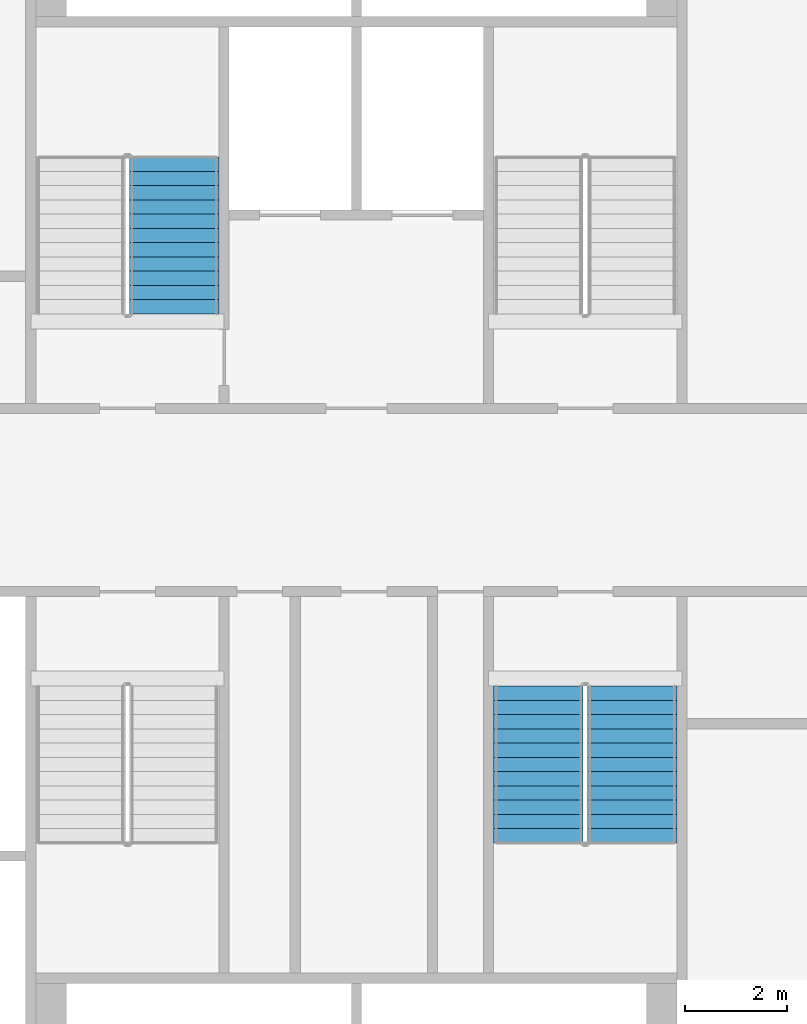
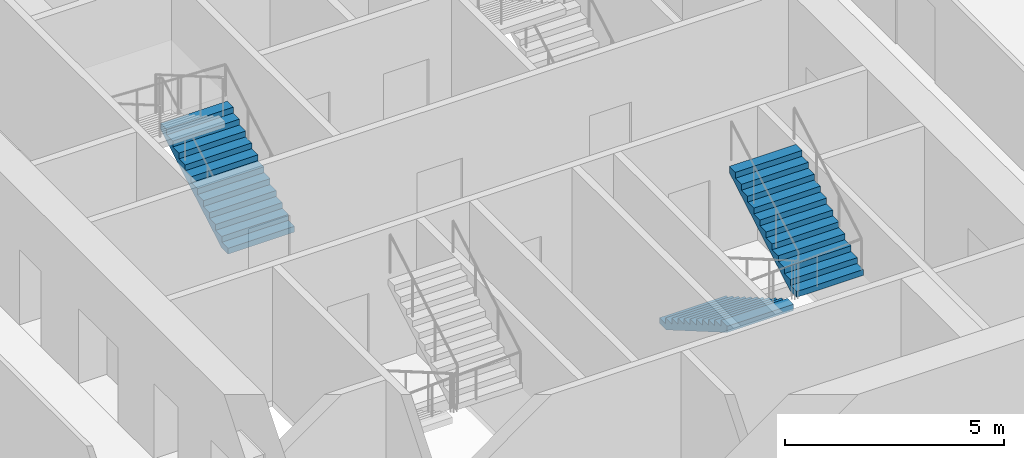
# One storey, part 10 of 17: 3 stair flights, 2 elements without a shape of their own.
"""IFC4 building model written with IfcOpenShell, lengths in metres."""

from ifc_helpers import new_model, si_unit, direction, frame, origin, place, context, subcontext, project, spatial, faceted_brep, material, type_object, element, aggregate, save


model = new_model("IFC4")

# Units and contexts
model_context = context("Model", 3, precision=1e-05, world=origin(), true_north=direction((0.0, 1.0)))
body_context = subcontext(model_context, "Body", "Model", "MODEL_VIEW")
ifc_project = project(units=[si_unit("LENGTHUNIT", "METRE"), si_unit("AREAUNIT", "SQUARE_METRE"), si_unit("VOLUMEUNIT", "CUBIC_METRE"), si_unit("PLANEANGLEUNIT", "RADIAN"), si_unit("MASSUNIT", "GRAM", prefix="KILO")], contexts=[model_context])

# Site, building, storey
site_placement = place(None, origin())
site = spatial("IfcSite", under=ifc_project, at=site_placement, CompositionType="ELEMENT")
building_placement = place(site_placement, origin())
building = spatial("IfcBuilding", under=site, at=building_placement, Name="Tarsis Ring Headquarters", CompositionType="ELEMENT")
storey_placement = place(building_placement, frame((0.0, 0.0, 127.89990234375)))
storey = spatial("IfcBuildingStorey", under=building, at=storey_placement, Name="L29", CompositionType="ELEMENT", Elevation=127.89990234375)

# Stair, stair flight
ifc_material_1 = material(Name="Core stair 1760")
stair_type = type_object("IfcStairType", Name="Core stair 1760", PredefinedType="HALF_TURN_STAIR", material=ifc_material_1)
stair_1_placement = place(storey_placement, origin())
stair_1 = element("IfcStair", 1, at=stair_1_placement, inside=storey, type_object=stair_type, Name="L29 Firefighting stair", PredefinedType="HALF_TURN_STAIR")
ifc_material_2 = material(Name="Concrete C40/50", Category="concrete")
stair_flight_type = type_object("IfcStairFlightType", Name="Core stair flight 1760", PredefinedType="STRAIGHT", material=ifc_material_2)
stair_flight_1_placement = place(storey_placement, frame((-3.580078125, 3.659912109375, 0.0), z_axis=(0.0, 0.0, 1.0), x_axis=(0.0, 1.0, 0.0)))
stair_flight_1 = element("IfcStairFlight", 2, at=stair_flight_1_placement, type_object=stair_flight_type, Name="Stair ST1 flight 1", NumberOfRisers=12, NumberOfTreads=11, PredefinedType="STRAIGHT", RiserHeight=0.1625, TreadLength=0.28, context=body_context, shape_type="Brep", body=[
    faceted_brep([(0.0, 0.8798828125, 0.0), (0.0, 0.8798828125, 0.16259765625), (0.280029296875, 0.8798828125, 0.16259765625), (0.280029296875, 0.8798828125, 0.324951171875), (0.56005859375, 0.8798828125, 0.324951171875), (0.56005859375, 0.8798828125, 0.487548828125), (0.840087890625, 0.8798828125, 0.487548828125), (0.840087890625, 0.8798828125, 0.64990234375), (1.1201171875, 0.8798828125, 0.64990234375), (1.1201171875, 0.8798828125, 0.8125), (1.39990234375, 0.8798828125, 0.8125), (1.39990234375, 0.8798828125, 0.97509765625), (1.679931640625, 0.8798828125, 0.97509765625), (1.679931640625, 0.8798828125, 1.137451171875), (1.9599609375, 0.8798828125, 1.137451171875), (1.9599609375, 0.8798828125, 1.300048828125), (2.239990234375, 0.8798828125, 1.300048828125), (2.239990234375, 0.8798828125, 1.46240234375), (2.52001953125, 0.8798828125, 1.46240234375), (2.52001953125, 0.8798828125, 1.625), (2.800048828125, 0.8798828125, 1.625), (2.800048828125, 0.8798828125, 1.78759765625), (3.080078125, 0.8798828125, 1.78759765625), (3.080078125, 0.8798828125, 1.6142578125), (0.298583984375, 0.8798828125, 0.0), (0.298583984375, -0.8798828125, 0.0), (3.080078125, -0.8798828125, 1.6142578125), (3.080078125, -0.8798828125, 1.78759765625), (2.800048828125, -0.8798828125, 1.78759765625), (2.800048828125, -0.8798828125, 1.625), (2.52001953125, -0.8798828125, 1.625), (2.52001953125, -0.8798828125, 1.46240234375), (2.239990234375, -0.8798828125, 1.46240234375), (2.239990234375, -0.8798828125, 1.300048828125), (1.9599609375, -0.8798828125, 1.300048828125), (1.9599609375, -0.8798828125, 1.137451171875), (1.679931640625, -0.8798828125, 1.137451171875), (1.679931640625, -0.8798828125, 0.97509765625), (1.39990234375, -0.8798828125, 0.97509765625), (1.39990234375, -0.8798828125, 0.8125), (1.1201171875, -0.8798828125, 0.8125), (1.1201171875, -0.8798828125, 0.64990234375), (0.840087890625, -0.8798828125, 0.64990234375), (0.840087890625, -0.8798828125, 0.487548828125), (0.56005859375, -0.8798828125, 0.487548828125), (0.56005859375, -0.8798828125, 0.324951171875), (0.280029296875, -0.8798828125, 0.324951171875), (0.280029296875, -0.8798828125, 0.16259765625), (0.0, -0.8798828125, 0.16259765625), (0.0, -0.8798828125, 0.0), (0.0, -0.43994140625, 0.16259765625), (0.0, -0.43994140625, 0.0), (0.0, 0.0, 0.16259765625), (0.0, 0.0, 0.0), (0.0, 0.43994140625, 0.16259765625), (0.0, 0.43994140625, 0.0), (0.280029296875, -0.43994140625, 0.16259765625), (0.280029296875, 0.0, 0.16259765625), (0.280029296875, 0.43994140625, 0.16259765625), (0.280029296875, -0.43994140625, 0.324951171875), (0.280029296875, 0.0, 0.324951171875), (0.280029296875, 0.43994140625, 0.324951171875), (0.56005859375, -0.43994140625, 0.324951171875), (0.56005859375, 0.0, 0.324951171875), (0.56005859375, 0.43994140625, 0.324951171875), (0.56005859375, -0.43994140625, 0.487548828125), (0.56005859375, 0.0, 0.487548828125), (0.56005859375, 0.43994140625, 0.487548828125), (0.840087890625, -0.43994140625, 0.487548828125), (0.840087890625, 0.0, 0.487548828125), (0.840087890625, 0.43994140625, 0.487548828125), (0.840087890625, -0.43994140625, 0.64990234375), (0.840087890625, 0.0, 0.64990234375), (0.840087890625, 0.43994140625, 0.64990234375), (1.1201171875, -0.43994140625, 0.64990234375), (1.1201171875, 0.0, 0.64990234375), (1.1201171875, 0.43994140625, 0.64990234375), (1.1201171875, -0.43994140625, 0.8125), (1.1201171875, 0.0, 0.8125), (1.1201171875, 0.43994140625, 0.8125), (1.39990234375, -0.43994140625, 0.8125), (1.39990234375, 0.0, 0.8125), (1.39990234375, 0.43994140625, 0.8125), (1.39990234375, -0.43994140625, 0.97509765625), (1.39990234375, 0.0, 0.97509765625), (1.39990234375, 0.43994140625, 0.97509765625), (1.679931640625, -0.43994140625, 0.97509765625), (1.679931640625, 0.0, 0.97509765625), (1.679931640625, 0.43994140625, 0.97509765625), (1.679931640625, -0.43994140625, 1.137451171875), (1.679931640625, 0.0, 1.137451171875), (1.679931640625, 0.43994140625, 1.137451171875), (1.9599609375, -0.43994140625, 1.137451171875), (1.9599609375, 0.0, 1.137451171875), (1.9599609375, 0.43994140625, 1.137451171875), (1.9599609375, -0.43994140625, 1.300048828125), (1.9599609375, 0.0, 1.300048828125), (1.9599609375, 0.43994140625, 1.300048828125), (2.239990234375, -0.43994140625, 1.300048828125), (2.239990234375, 0.0, 1.300048828125), (2.239990234375, 0.43994140625, 1.300048828125), (2.239990234375, -0.43994140625, 1.46240234375), (2.239990234375, 0.0, 1.46240234375), (2.239990234375, 0.43994140625, 1.46240234375), (2.52001953125, -0.43994140625, 1.46240234375), (2.52001953125, 0.0, 1.46240234375), (2.52001953125, 0.43994140625, 1.46240234375), (2.52001953125, -0.43994140625, 1.625), (2.52001953125, 0.0, 1.625), (2.52001953125, 0.43994140625, 1.625), (2.800048828125, -0.43994140625, 1.625), (2.800048828125, 0.0, 1.625), (2.800048828125, 0.43994140625, 1.625), (2.800048828125, -0.43994140625, 1.78759765625), (2.800048828125, 0.0, 1.78759765625), (2.800048828125, 0.43994140625, 1.78759765625), (3.080078125, -0.43994140625, 1.78759765625), (3.080078125, 0.0, 1.78759765625), (3.080078125, 0.43994140625, 1.78759765625), (3.080078125, -0.43994140625, 1.6142578125), (3.080078125, 0.0, 1.6142578125), (3.080078125, 0.43994140625, 1.6142578125), (0.298583984375, -0.43994140625, 0.0), (0.298583984375, 0.0, 0.0), (0.298583984375, 0.43994140625, 0.0)], [[[0, 1, 2, 3, 4, 5, 6, 7, 8, 9, 10, 11, 12, 13, 14, 15, 16, 17, 18, 19, 20, 21, 22, 23, 24]], [[25, 26, 27, 28, 29, 30, 31, 32, 33, 34, 35, 36, 37, 38, 39, 40, 41, 42, 43, 44, 45, 46, 47, 48, 49]], [[49, 48, 50, 51]], [[51, 50, 52, 53]], [[53, 52, 54, 55]], [[55, 54, 1, 0]], [[48, 47, 56, 50]], [[50, 56, 57, 52]], [[52, 57, 58, 54]], [[54, 58, 2, 1]], [[47, 46, 59, 56]], [[56, 59, 60, 57]], [[57, 60, 61, 58]], [[58, 61, 3, 2]], [[46, 45, 62, 59]], [[59, 62, 63, 60]], [[60, 63, 64, 61]], [[61, 64, 4, 3]], [[45, 44, 65, 62]], [[62, 65, 66, 63]], [[63, 66, 67, 64]], [[64, 67, 5, 4]], [[44, 43, 68, 65]], [[65, 68, 69, 66]], [[66, 69, 70, 67]], [[67, 70, 6, 5]], [[43, 42, 71, 68]], [[68, 71, 72, 69]], [[69, 72, 73, 70]], [[70, 73, 7, 6]], [[42, 41, 74, 71]], [[71, 74, 75, 72]], [[72, 75, 76, 73]], [[73, 76, 8, 7]], [[41, 40, 77, 74]], [[74, 77, 78, 75]], [[75, 78, 79, 76]], [[76, 79, 9, 8]], [[40, 39, 80, 77]], [[77, 80, 81, 78]], [[78, 81, 82, 79]], [[79, 82, 10, 9]], [[39, 38, 83, 80]], [[80, 83, 84, 81]], [[81, 84, 85, 82]], [[82, 85, 11, 10]], [[38, 37, 86, 83]], [[83, 86, 87, 84]], [[84, 87, 88, 85]], [[85, 88, 12, 11]], [[37, 36, 89, 86]], [[86, 89, 90, 87]], [[87, 90, 91, 88]], [[88, 91, 13, 12]], [[36, 35, 92, 89]], [[89, 92, 93, 90]], [[90, 93, 94, 91]], [[91, 94, 14, 13]], [[35, 34, 95, 92]], [[92, 95, 96, 93]], [[93, 96, 97, 94]], [[94, 97, 15, 14]], [[34, 33, 98, 95]], [[95, 98, 99, 96]], [[96, 99, 100, 97]], [[97, 100, 16, 15]], [[33, 32, 101, 98]], [[98, 101, 102, 99]], [[99, 102, 103, 100]], [[100, 103, 17, 16]], [[32, 31, 104, 101]], [[101, 104, 105, 102]], [[102, 105, 106, 103]], [[103, 106, 18, 17]], [[31, 30, 107, 104]], [[104, 107, 108, 105]], [[105, 108, 109, 106]], [[106, 109, 19, 18]], [[30, 29, 110, 107]], [[107, 110, 111, 108]], [[108, 111, 112, 109]], [[109, 112, 20, 19]], [[29, 28, 113, 110]], [[110, 113, 114, 111]], [[111, 114, 115, 112]], [[112, 115, 21, 20]], [[28, 27, 116, 113]], [[113, 116, 117, 114]], [[114, 117, 118, 115]], [[115, 118, 22, 21]], [[27, 26, 119, 116]], [[116, 119, 120, 117]], [[117, 120, 121, 118]], [[118, 121, 23, 22]], [[26, 25, 122, 119]], [[119, 122, 123, 120]], [[120, 123, 124, 121]], [[121, 124, 24, 23]], [[25, 49, 51, 122]], [[122, 51, 53, 123]], [[123, 53, 55, 124]], [[124, 55, 0, 24]]]),
])
aggregate(stair_1, [stair_flight_1])

# Stair, stair flights
stair_2_placement = place(storey_placement, origin())
stair_2 = element("IfcStair", 3, at=stair_2_placement, inside=storey, type_object=stair_type, Name="L29 Exit stair D", PredefinedType="HALF_TURN_STAIR")
stair_flight_2_placement = place(storey_placement, frame((3.580078125, -3.659912109375, 0.0), z_axis=(0.0, 0.0, 1.0), x_axis=(0.0, -1.0, 0.0)))
stair_flight_2 = element("IfcStairFlight", 4, at=stair_flight_2_placement, type_object=stair_flight_type, Name="Stair ST4 flight 1", NumberOfRisers=12, NumberOfTreads=11, PredefinedType="STRAIGHT", RiserHeight=0.1625, TreadLength=0.28, context=body_context, shape_type="Brep", body=[
    faceted_brep([(0.0, 0.8798828125, 0.0), (0.0, 0.8798828125, 0.16259765625), (0.280029296875, 0.8798828125, 0.16259765625), (0.280029296875, 0.8798828125, 0.324951171875), (0.56005859375, 0.8798828125, 0.324951171875), (0.56005859375, 0.8798828125, 0.487548828125), (0.840087890625, 0.8798828125, 0.487548828125), (0.840087890625, 0.8798828125, 0.64990234375), (1.1201171875, 0.8798828125, 0.64990234375), (1.1201171875, 0.8798828125, 0.8125), (1.39990234375, 0.8798828125, 0.8125), (1.39990234375, 0.8798828125, 0.97509765625), (1.679931640625, 0.8798828125, 0.97509765625), (1.679931640625, 0.8798828125, 1.137451171875), (1.9599609375, 0.8798828125, 1.137451171875), (1.9599609375, 0.8798828125, 1.300048828125), (2.239990234375, 0.8798828125, 1.300048828125), (2.239990234375, 0.8798828125, 1.46240234375), (2.52001953125, 0.8798828125, 1.46240234375), (2.52001953125, 0.8798828125, 1.625), (2.800048828125, 0.8798828125, 1.625), (2.800048828125, 0.8798828125, 1.78759765625), (3.080078125, 0.8798828125, 1.78759765625), (3.080078125, 0.8798828125, 1.6142578125), (0.298583984375, 0.8798828125, 0.0), (0.298583984375, -0.8798828125, 0.0), (3.080078125, -0.8798828125, 1.6142578125), (3.080078125, -0.8798828125, 1.78759765625), (2.800048828125, -0.8798828125, 1.78759765625), (2.800048828125, -0.8798828125, 1.625), (2.52001953125, -0.8798828125, 1.625), (2.52001953125, -0.8798828125, 1.46240234375), (2.239990234375, -0.8798828125, 1.46240234375), (2.239990234375, -0.8798828125, 1.300048828125), (1.9599609375, -0.8798828125, 1.300048828125), (1.9599609375, -0.8798828125, 1.137451171875), (1.679931640625, -0.8798828125, 1.137451171875), (1.679931640625, -0.8798828125, 0.97509765625), (1.39990234375, -0.8798828125, 0.97509765625), (1.39990234375, -0.8798828125, 0.8125), (1.1201171875, -0.8798828125, 0.8125), (1.1201171875, -0.8798828125, 0.64990234375), (0.840087890625, -0.8798828125, 0.64990234375), (0.840087890625, -0.8798828125, 0.487548828125), (0.56005859375, -0.8798828125, 0.487548828125), (0.56005859375, -0.8798828125, 0.324951171875), (0.280029296875, -0.8798828125, 0.324951171875), (0.280029296875, -0.8798828125, 0.16259765625), (0.0, -0.8798828125, 0.16259765625), (0.0, -0.8798828125, 0.0), (0.0, -0.43994140625, 0.16259765625), (0.0, -0.43994140625, 0.0), (0.0, 0.0, 0.16259765625), (0.0, 0.0, 0.0), (0.0, 0.43994140625, 0.16259765625), (0.0, 0.43994140625, 0.0), (0.280029296875, -0.43994140625, 0.16259765625), (0.280029296875, 0.0, 0.16259765625), (0.280029296875, 0.43994140625, 0.16259765625), (0.280029296875, -0.43994140625, 0.324951171875), (0.280029296875, 0.0, 0.324951171875), (0.280029296875, 0.43994140625, 0.324951171875), (0.56005859375, -0.43994140625, 0.324951171875), (0.56005859375, 0.0, 0.324951171875), (0.56005859375, 0.43994140625, 0.324951171875), (0.56005859375, -0.43994140625, 0.487548828125), (0.56005859375, 0.0, 0.487548828125), (0.56005859375, 0.43994140625, 0.487548828125), (0.840087890625, -0.43994140625, 0.487548828125), (0.840087890625, 0.0, 0.487548828125), (0.840087890625, 0.43994140625, 0.487548828125), (0.840087890625, -0.43994140625, 0.64990234375), (0.840087890625, 0.0, 0.64990234375), (0.840087890625, 0.43994140625, 0.64990234375), (1.1201171875, -0.43994140625, 0.64990234375), (1.1201171875, 0.0, 0.64990234375), (1.1201171875, 0.43994140625, 0.64990234375), (1.1201171875, -0.43994140625, 0.8125), (1.1201171875, 0.0, 0.8125), (1.1201171875, 0.43994140625, 0.8125), (1.39990234375, -0.43994140625, 0.8125), (1.39990234375, 0.0, 0.8125), (1.39990234375, 0.43994140625, 0.8125), (1.39990234375, -0.43994140625, 0.97509765625), (1.39990234375, 0.0, 0.97509765625), (1.39990234375, 0.43994140625, 0.97509765625), (1.679931640625, -0.43994140625, 0.97509765625), (1.679931640625, 0.0, 0.97509765625), (1.679931640625, 0.43994140625, 0.97509765625), (1.679931640625, -0.43994140625, 1.137451171875), (1.679931640625, 0.0, 1.137451171875), (1.679931640625, 0.43994140625, 1.137451171875), (1.9599609375, -0.43994140625, 1.137451171875), (1.9599609375, 0.0, 1.137451171875), (1.9599609375, 0.43994140625, 1.137451171875), (1.9599609375, -0.43994140625, 1.300048828125), (1.9599609375, 0.0, 1.300048828125), (1.9599609375, 0.43994140625, 1.300048828125), (2.239990234375, -0.43994140625, 1.300048828125), (2.239990234375, 0.0, 1.300048828125), (2.239990234375, 0.43994140625, 1.300048828125), (2.239990234375, -0.43994140625, 1.46240234375), (2.239990234375, 0.0, 1.46240234375), (2.239990234375, 0.43994140625, 1.46240234375), (2.52001953125, -0.43994140625, 1.46240234375), (2.52001953125, 0.0, 1.46240234375), (2.52001953125, 0.43994140625, 1.46240234375), (2.52001953125, -0.43994140625, 1.625), (2.52001953125, 0.0, 1.625), (2.52001953125, 0.43994140625, 1.625), (2.800048828125, -0.43994140625, 1.625), (2.800048828125, 0.0, 1.625), (2.800048828125, 0.43994140625, 1.625), (2.800048828125, -0.43994140625, 1.78759765625), (2.800048828125, 0.0, 1.78759765625), (2.800048828125, 0.43994140625, 1.78759765625), (3.080078125, -0.43994140625, 1.78759765625), (3.080078125, 0.0, 1.78759765625), (3.080078125, 0.43994140625, 1.78759765625), (3.080078125, -0.43994140625, 1.6142578125), (3.080078125, 0.0, 1.6142578125), (3.080078125, 0.43994140625, 1.6142578125), (0.298583984375, -0.43994140625, 0.0), (0.298583984375, 0.0, 0.0), (0.298583984375, 0.43994140625, 0.0)], [[[0, 1, 2, 3, 4, 5, 6, 7, 8, 9, 10, 11, 12, 13, 14, 15, 16, 17, 18, 19, 20, 21, 22, 23, 24]], [[25, 26, 27, 28, 29, 30, 31, 32, 33, 34, 35, 36, 37, 38, 39, 40, 41, 42, 43, 44, 45, 46, 47, 48, 49]], [[49, 48, 50, 51]], [[51, 50, 52, 53]], [[53, 52, 54, 55]], [[55, 54, 1, 0]], [[48, 47, 56, 50]], [[50, 56, 57, 52]], [[52, 57, 58, 54]], [[54, 58, 2, 1]], [[47, 46, 59, 56]], [[56, 59, 60, 57]], [[57, 60, 61, 58]], [[58, 61, 3, 2]], [[46, 45, 62, 59]], [[59, 62, 63, 60]], [[60, 63, 64, 61]], [[61, 64, 4, 3]], [[45, 44, 65, 62]], [[62, 65, 66, 63]], [[63, 66, 67, 64]], [[64, 67, 5, 4]], [[44, 43, 68, 65]], [[65, 68, 69, 66]], [[66, 69, 70, 67]], [[67, 70, 6, 5]], [[43, 42, 71, 68]], [[68, 71, 72, 69]], [[69, 72, 73, 70]], [[70, 73, 7, 6]], [[42, 41, 74, 71]], [[71, 74, 75, 72]], [[72, 75, 76, 73]], [[73, 76, 8, 7]], [[41, 40, 77, 74]], [[74, 77, 78, 75]], [[75, 78, 79, 76]], [[76, 79, 9, 8]], [[40, 39, 80, 77]], [[77, 80, 81, 78]], [[78, 81, 82, 79]], [[79, 82, 10, 9]], [[39, 38, 83, 80]], [[80, 83, 84, 81]], [[81, 84, 85, 82]], [[82, 85, 11, 10]], [[38, 37, 86, 83]], [[83, 86, 87, 84]], [[84, 87, 88, 85]], [[85, 88, 12, 11]], [[37, 36, 89, 86]], [[86, 89, 90, 87]], [[87, 90, 91, 88]], [[88, 91, 13, 12]], [[36, 35, 92, 89]], [[89, 92, 93, 90]], [[90, 93, 94, 91]], [[91, 94, 14, 13]], [[35, 34, 95, 92]], [[92, 95, 96, 93]], [[93, 96, 97, 94]], [[94, 97, 15, 14]], [[34, 33, 98, 95]], [[95, 98, 99, 96]], [[96, 99, 100, 97]], [[97, 100, 16, 15]], [[33, 32, 101, 98]], [[98, 101, 102, 99]], [[99, 102, 103, 100]], [[100, 103, 17, 16]], [[32, 31, 104, 101]], [[101, 104, 105, 102]], [[102, 105, 106, 103]], [[103, 106, 18, 17]], [[31, 30, 107, 104]], [[104, 107, 108, 105]], [[105, 108, 109, 106]], [[106, 109, 19, 18]], [[30, 29, 110, 107]], [[107, 110, 111, 108]], [[108, 111, 112, 109]], [[109, 112, 20, 19]], [[29, 28, 113, 110]], [[110, 113, 114, 111]], [[111, 114, 115, 112]], [[112, 115, 21, 20]], [[28, 27, 116, 113]], [[113, 116, 117, 114]], [[114, 117, 118, 115]], [[115, 118, 22, 21]], [[27, 26, 119, 116]], [[116, 119, 120, 117]], [[117, 120, 121, 118]], [[118, 121, 23, 22]], [[26, 25, 122, 119]], [[119, 122, 123, 120]], [[120, 123, 124, 121]], [[121, 124, 24, 23]], [[25, 49, 51, 122]], [[122, 51, 53, 123]], [[123, 53, 55, 124]], [[124, 55, 0, 24]]]),
])
stair_flight_3_placement = place(storey_placement, frame((5.419921875, -6.739990234375, 1.9501953125), z_axis=(0.0, 0.0, 1.0), x_axis=(0.0, 1.0, 0.0)))
stair_flight_3 = element("IfcStairFlight", 5, at=stair_flight_3_placement, type_object=stair_flight_type, Name="Stair ST4 flight 2", NumberOfRisers=12, NumberOfTreads=11, PredefinedType="STRAIGHT", RiserHeight=0.1625, TreadLength=0.28, context=body_context, shape_type="Brep", body=[
    faceted_brep([(0.0, 0.8798828125, 0.0), (0.0, 0.8798828125, 0.16259765625), (0.280029296875, 0.8798828125, 0.16259765625), (0.280029296875, 0.8798828125, 0.324951171875), (0.56005859375, 0.8798828125, 0.324951171875), (0.56005859375, 0.8798828125, 0.487548828125), (0.840087890625, 0.8798828125, 0.487548828125), (0.840087890625, 0.8798828125, 0.64990234375), (1.1201171875, 0.8798828125, 0.64990234375), (1.1201171875, 0.8798828125, 0.8125), (1.39990234375, 0.8798828125, 0.8125), (1.39990234375, 0.8798828125, 0.97509765625), (1.679931640625, 0.8798828125, 0.97509765625), (1.679931640625, 0.8798828125, 1.137451171875), (1.9599609375, 0.8798828125, 1.137451171875), (1.9599609375, 0.8798828125, 1.300048828125), (2.239990234375, 0.8798828125, 1.300048828125), (2.239990234375, 0.8798828125, 1.46240234375), (2.52001953125, 0.8798828125, 1.46240234375), (2.52001953125, 0.8798828125, 1.625), (2.800048828125, 0.8798828125, 1.625), (2.800048828125, 0.8798828125, 1.78759765625), (3.080078125, 0.8798828125, 1.78759765625), (3.080078125, 0.8798828125, 1.6142578125), (0.298583984375, 0.8798828125, 0.0), (0.298583984375, -0.8798828125, 0.0), (3.080078125, -0.8798828125, 1.6142578125), (3.080078125, -0.8798828125, 1.78759765625), (2.800048828125, -0.8798828125, 1.78759765625), (2.800048828125, -0.8798828125, 1.625), (2.52001953125, -0.8798828125, 1.625), (2.52001953125, -0.8798828125, 1.46240234375), (2.239990234375, -0.8798828125, 1.46240234375), (2.239990234375, -0.8798828125, 1.300048828125), (1.9599609375, -0.8798828125, 1.300048828125), (1.9599609375, -0.8798828125, 1.137451171875), (1.679931640625, -0.8798828125, 1.137451171875), (1.679931640625, -0.8798828125, 0.97509765625), (1.39990234375, -0.8798828125, 0.97509765625), (1.39990234375, -0.8798828125, 0.8125), (1.1201171875, -0.8798828125, 0.8125), (1.1201171875, -0.8798828125, 0.64990234375), (0.840087890625, -0.8798828125, 0.64990234375), (0.840087890625, -0.8798828125, 0.487548828125), (0.56005859375, -0.8798828125, 0.487548828125), (0.56005859375, -0.8798828125, 0.324951171875), (0.280029296875, -0.8798828125, 0.324951171875), (0.280029296875, -0.8798828125, 0.16259765625), (0.0, -0.8798828125, 0.16259765625), (0.0, -0.8798828125, 0.0), (0.0, -0.43994140625, 0.16259765625), (0.0, -0.43994140625, 0.0), (0.0, 0.0, 0.16259765625), (0.0, 0.0, 0.0), (0.0, 0.43994140625, 0.16259765625), (0.0, 0.43994140625, 0.0), (0.280029296875, -0.43994140625, 0.16259765625), (0.280029296875, 0.0, 0.16259765625), (0.280029296875, 0.43994140625, 0.16259765625), (0.280029296875, -0.43994140625, 0.324951171875), (0.280029296875, 0.0, 0.324951171875), (0.280029296875, 0.43994140625, 0.324951171875), (0.56005859375, -0.43994140625, 0.324951171875), (0.56005859375, 0.0, 0.324951171875), (0.56005859375, 0.43994140625, 0.324951171875), (0.56005859375, -0.43994140625, 0.487548828125), (0.56005859375, 0.0, 0.487548828125), (0.56005859375, 0.43994140625, 0.487548828125), (0.840087890625, -0.43994140625, 0.487548828125), (0.840087890625, 0.0, 0.487548828125), (0.840087890625, 0.43994140625, 0.487548828125), (0.840087890625, -0.43994140625, 0.64990234375), (0.840087890625, 0.0, 0.64990234375), (0.840087890625, 0.43994140625, 0.64990234375), (1.1201171875, -0.43994140625, 0.64990234375), (1.1201171875, 0.0, 0.64990234375), (1.1201171875, 0.43994140625, 0.64990234375), (1.1201171875, -0.43994140625, 0.8125), (1.1201171875, 0.0, 0.8125), (1.1201171875, 0.43994140625, 0.8125), (1.39990234375, -0.43994140625, 0.8125), (1.39990234375, 0.0, 0.8125), (1.39990234375, 0.43994140625, 0.8125), (1.39990234375, -0.43994140625, 0.97509765625), (1.39990234375, 0.0, 0.97509765625), (1.39990234375, 0.43994140625, 0.97509765625), (1.679931640625, -0.43994140625, 0.97509765625), (1.679931640625, 0.0, 0.97509765625), (1.679931640625, 0.43994140625, 0.97509765625), (1.679931640625, -0.43994140625, 1.137451171875), (1.679931640625, 0.0, 1.137451171875), (1.679931640625, 0.43994140625, 1.137451171875), (1.9599609375, -0.43994140625, 1.137451171875), (1.9599609375, 0.0, 1.137451171875), (1.9599609375, 0.43994140625, 1.137451171875), (1.9599609375, -0.43994140625, 1.300048828125), (1.9599609375, 0.0, 1.300048828125), (1.9599609375, 0.43994140625, 1.300048828125), (2.239990234375, -0.43994140625, 1.300048828125), (2.239990234375, 0.0, 1.300048828125), (2.239990234375, 0.43994140625, 1.300048828125), (2.239990234375, -0.43994140625, 1.46240234375), (2.239990234375, 0.0, 1.46240234375), (2.239990234375, 0.43994140625, 1.46240234375), (2.52001953125, -0.43994140625, 1.46240234375), (2.52001953125, 0.0, 1.46240234375), (2.52001953125, 0.43994140625, 1.46240234375), (2.52001953125, -0.43994140625, 1.625), (2.52001953125, 0.0, 1.625), (2.52001953125, 0.43994140625, 1.625), (2.800048828125, -0.43994140625, 1.625), (2.800048828125, 0.0, 1.625), (2.800048828125, 0.43994140625, 1.625), (2.800048828125, -0.43994140625, 1.78759765625), (2.800048828125, 0.0, 1.78759765625), (2.800048828125, 0.43994140625, 1.78759765625), (3.080078125, -0.43994140625, 1.78759765625), (3.080078125, 0.0, 1.78759765625), (3.080078125, 0.43994140625, 1.78759765625), (3.080078125, -0.43994140625, 1.6142578125), (3.080078125, 0.0, 1.6142578125), (3.080078125, 0.43994140625, 1.6142578125), (0.298583984375, -0.43994140625, 0.0), (0.298583984375, 0.0, 0.0), (0.298583984375, 0.43994140625, 0.0)], [[[0, 1, 2, 3, 4, 5, 6, 7, 8, 9, 10, 11, 12, 13, 14, 15, 16, 17, 18, 19, 20, 21, 22, 23, 24]], [[25, 26, 27, 28, 29, 30, 31, 32, 33, 34, 35, 36, 37, 38, 39, 40, 41, 42, 43, 44, 45, 46, 47, 48, 49]], [[49, 48, 50, 51]], [[51, 50, 52, 53]], [[53, 52, 54, 55]], [[55, 54, 1, 0]], [[48, 47, 56, 50]], [[50, 56, 57, 52]], [[52, 57, 58, 54]], [[54, 58, 2, 1]], [[47, 46, 59, 56]], [[56, 59, 60, 57]], [[57, 60, 61, 58]], [[58, 61, 3, 2]], [[46, 45, 62, 59]], [[59, 62, 63, 60]], [[60, 63, 64, 61]], [[61, 64, 4, 3]], [[45, 44, 65, 62]], [[62, 65, 66, 63]], [[63, 66, 67, 64]], [[64, 67, 5, 4]], [[44, 43, 68, 65]], [[65, 68, 69, 66]], [[66, 69, 70, 67]], [[67, 70, 6, 5]], [[43, 42, 71, 68]], [[68, 71, 72, 69]], [[69, 72, 73, 70]], [[70, 73, 7, 6]], [[42, 41, 74, 71]], [[71, 74, 75, 72]], [[72, 75, 76, 73]], [[73, 76, 8, 7]], [[41, 40, 77, 74]], [[74, 77, 78, 75]], [[75, 78, 79, 76]], [[76, 79, 9, 8]], [[40, 39, 80, 77]], [[77, 80, 81, 78]], [[78, 81, 82, 79]], [[79, 82, 10, 9]], [[39, 38, 83, 80]], [[80, 83, 84, 81]], [[81, 84, 85, 82]], [[82, 85, 11, 10]], [[38, 37, 86, 83]], [[83, 86, 87, 84]], [[84, 87, 88, 85]], [[85, 88, 12, 11]], [[37, 36, 89, 86]], [[86, 89, 90, 87]], [[87, 90, 91, 88]], [[88, 91, 13, 12]], [[36, 35, 92, 89]], [[89, 92, 93, 90]], [[90, 93, 94, 91]], [[91, 94, 14, 13]], [[35, 34, 95, 92]], [[92, 95, 96, 93]], [[93, 96, 97, 94]], [[94, 97, 15, 14]], [[34, 33, 98, 95]], [[95, 98, 99, 96]], [[96, 99, 100, 97]], [[97, 100, 16, 15]], [[33, 32, 101, 98]], [[98, 101, 102, 99]], [[99, 102, 103, 100]], [[100, 103, 17, 16]], [[32, 31, 104, 101]], [[101, 104, 105, 102]], [[102, 105, 106, 103]], [[103, 106, 18, 17]], [[31, 30, 107, 104]], [[104, 107, 108, 105]], [[105, 108, 109, 106]], [[106, 109, 19, 18]], [[30, 29, 110, 107]], [[107, 110, 111, 108]], [[108, 111, 112, 109]], [[109, 112, 20, 19]], [[29, 28, 113, 110]], [[110, 113, 114, 111]], [[111, 114, 115, 112]], [[112, 115, 21, 20]], [[28, 27, 116, 113]], [[113, 116, 117, 114]], [[114, 117, 118, 115]], [[115, 118, 22, 21]], [[27, 26, 119, 116]], [[116, 119, 120, 117]], [[117, 120, 121, 118]], [[118, 121, 23, 22]], [[26, 25, 122, 119]], [[119, 122, 123, 120]], [[120, 123, 124, 121]], [[121, 124, 24, 23]], [[25, 49, 51, 122]], [[122, 51, 53, 123]], [[123, 53, 55, 124]], [[124, 55, 0, 24]]]),
])
aggregate(stair_2, [stair_flight_2, stair_flight_3])

save(model, "model.ifc")
